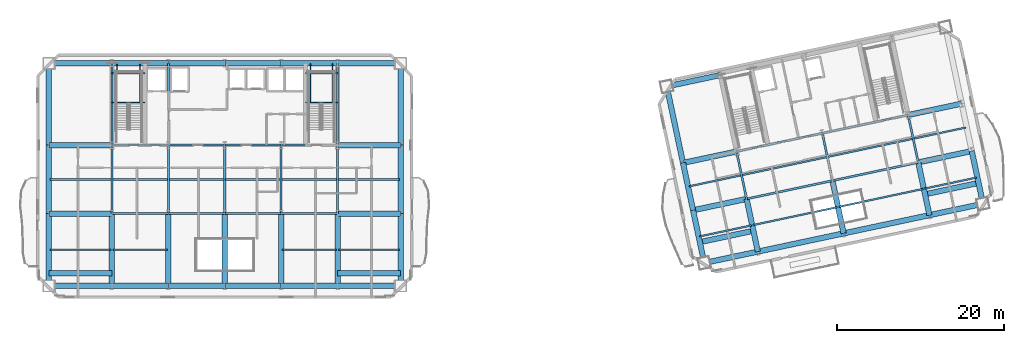
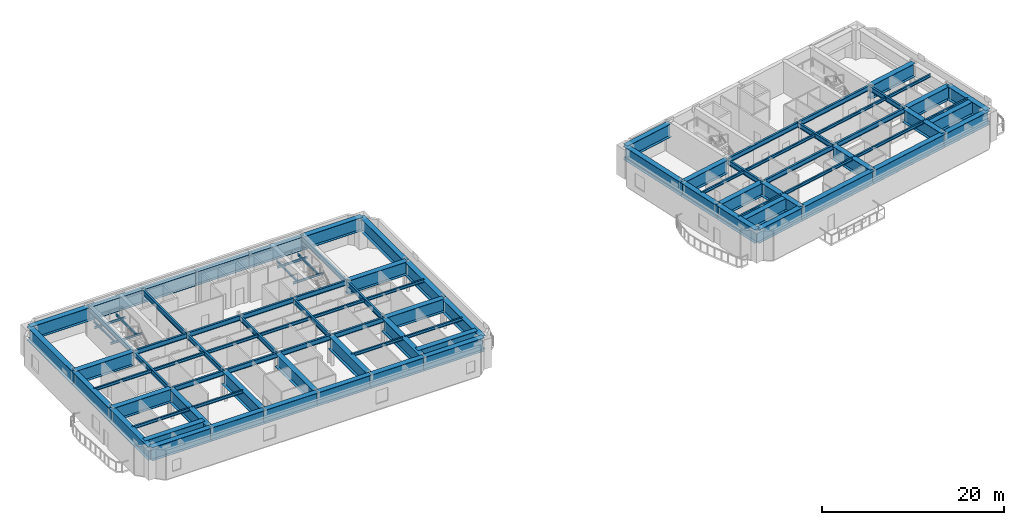
# One storey, part 3 of 15: 96 beams.
"""IFC4 building model written with IfcOpenShell, lengths in metres."""

from ifc_helpers import new_model, si_unit, direction, frame, origin, origin_2d, place, context, subcontext, project, spatial, i_section, extrude, material, material_profile, profile_set, type_object, element, save


model = new_model("IFC4")

# Units and contexts
model_context = context("Model", 3, precision=1e-05, world=origin(), true_north=direction((0.0, 1.0)))
body_context = subcontext(model_context, "Body", "Model", "MODEL_VIEW")
ifc_project = project(units=[si_unit("LENGTHUNIT", "METRE"), si_unit("AREAUNIT", "SQUARE_METRE"), si_unit("VOLUMEUNIT", "CUBIC_METRE"), si_unit("PLANEANGLEUNIT", "RADIAN"), si_unit("MASSUNIT", "GRAM", prefix="KILO")], contexts=[model_context])

# Site, building, storey
site_placement = place(None, origin())
site = spatial("IfcSite", under=ifc_project, at=site_placement, CompositionType="ELEMENT")
building_placement = place(site_placement, origin())
building = spatial("IfcBuilding", under=site, at=building_placement, Name="Haevon Station Towers", CompositionType="ELEMENT")
storey_placement = place(building_placement, frame((0.0, 0.0, 129.60009765625)))
storey = spatial("IfcBuildingStorey", under=building, at=storey_placement, Name="L35", CompositionType="ELEMENT", Elevation=129.60009765625)

# Beams
ifc_material_1 = material(Name="Steel S355", Category="steel")
ifc_material_profile_1 = material_profile(ifc_material_1, i_section(OverallWidth=0.25, OverallDepth=0.64990234375, WebThickness=0.012939453125, FlangeThickness=0.02197265625, at=origin_2d()), Name="H-650x250x13x22")
ifc_profile_set_1 = profile_set([ifc_material_profile_1], Name="Steel S355")
beam_type_1 = type_object("IfcBeamType", Name="BM-G650", PredefinedType="BEAM", material=ifc_profile_set_1)
for number, where, z_axis, x_axis, name in (
    (1, (24.0, 30.0, 3.625), (1.0, 0.0, 0.0), (0.0, 1.0, 0.0), "BM-T1U-L35-02-02"),
    (2, (30.75, 30.0, 3.625), (1.0, 0.0, 0.0), (0.0, 1.0, 0.0), "BM-T1U-L35-02-03"),
    (3, (37.5, 30.0, 3.625), (1.0, 0.0, 0.0), (0.0, 1.0, 0.0), "BM-T1U-L35-02-04"),
    (4, (44.25, 30.0, 3.625), (1.0, 0.0, 0.0), (0.0, 1.0, 0.0), "BM-T1U-L35-02-05"),
    (5, (24.0, 38.199951171875, 3.625), (1.0, 0.0, 0.0), (0.0, 1.0, 0.0), "BM-T1U-L35-03-02"),
    (6, (30.75, 38.199951171875, 3.625), (1.0, 0.0, 0.0), (0.0, 1.0, 0.0), "BM-T1U-L35-03-03"),
    (7, (37.5, 38.199951171875, 3.625), (1.0, 0.0, 0.0), (0.0, 1.0, 0.0), "BM-T1U-L35-03-04"),
    (8, (44.25, 38.199951171875, 3.625), (1.0, 0.0, 0.0), (0.0, 1.0, 0.0), "BM-T1U-L35-03-05"),
):
    element("IfcBeam", number, at=place(storey_placement, frame(where, z_axis=z_axis, x_axis=x_axis)), inside=storey, type_object=beam_type_1, Name=name, PredefinedType="BEAM", context=body_context, shape_type="SweptSolid", body=[
        extrude(i_section(OverallWidth=0.25, OverallDepth=0.64990234375, WebThickness=0.012939453125, FlangeThickness=0.02197265625, at=origin_2d()), origin(), (0.0, 0.0, 1.0), 6.75),
    ])
beam_1_placement = place(storey_placement, frame((24.0, 30.0, 3.625), z_axis=(0.0, 1.0, 0.0), x_axis=(-1.0, 0.0, 0.0)))
element("IfcBeam", 9, at=beam_1_placement, inside=storey, type_object=beam_type_1, Name="BM-T1V-L35-02-02", PredefinedType="BEAM", context=body_context, shape_type="SweptSolid", body=[
    extrude(i_section(OverallWidth=0.25, OverallDepth=0.64990234375, WebThickness=0.012939453125, FlangeThickness=0.02197265625, at=origin_2d()), origin(), (0.0, 0.0, 1.0), 8.199951171875),
])
beam_2_placement = place(storey_placement, frame((24.0, 38.199951171875, 3.625), z_axis=(0.0, 1.0, 0.0), x_axis=(-1.0, 0.0, 0.0)))
element("IfcBeam", 10, at=beam_2_placement, inside=storey, type_object=beam_type_1, Name="BM-T1V-L35-02-03", PredefinedType="BEAM", context=body_context, shape_type="SweptSolid", body=[
    extrude(i_section(OverallWidth=0.25, OverallDepth=0.64990234375, WebThickness=0.012939453125, FlangeThickness=0.02197265625, at=origin_2d()), origin(), (0.0, 0.0, 1.0), 9.800048828125),
])
beam_3_placement = place(storey_placement, frame((30.75, 30.0, 3.625), z_axis=(0.0, 1.0, 0.0), x_axis=(-1.0, 0.0, 0.0)))
element("IfcBeam", 11, at=beam_3_placement, inside=storey, type_object=beam_type_1, Name="BM-T1V-L35-03-02", PredefinedType="BEAM", context=body_context, shape_type="SweptSolid", body=[
    extrude(i_section(OverallWidth=0.25, OverallDepth=0.64990234375, WebThickness=0.012939453125, FlangeThickness=0.02197265625, at=origin_2d()), origin(), (0.0, 0.0, 1.0), 8.199951171875),
])
beam_4_placement = place(storey_placement, frame((30.75, 38.199951171875, 3.625), z_axis=(0.0, 1.0, 0.0), x_axis=(-1.0, 0.0, 0.0)))
element("IfcBeam", 12, at=beam_4_placement, inside=storey, type_object=beam_type_1, Name="BM-T1V-L35-03-03", PredefinedType="BEAM", context=body_context, shape_type="SweptSolid", body=[
    extrude(i_section(OverallWidth=0.25, OverallDepth=0.64990234375, WebThickness=0.012939453125, FlangeThickness=0.02197265625, at=origin_2d()), origin(), (0.0, 0.0, 1.0), 9.800048828125),
])
for number, where, z_axis, x_axis, name in (
    (13, (37.5, 30.0, 3.625), (0.0, 1.0, 0.0), (-1.0, 0.0, 0.0), "BM-T1V-L35-04-02"),
    (14, (44.25, 30.0, 3.625), (0.0, 1.0, 0.0), (-1.0, 0.0, 0.0), "BM-T1V-L35-05-02"),
    (15, (51.0, 30.0, 3.625), (0.0, 1.0, 0.0), (-1.0, 0.0, 0.0), "BM-T1V-L35-06-02"),
):
    element("IfcBeam", number, at=place(storey_placement, frame(where, z_axis=z_axis, x_axis=x_axis)), inside=storey, type_object=beam_type_1, Name=name, PredefinedType="BEAM", context=body_context, shape_type="SweptSolid", body=[
        extrude(i_section(OverallWidth=0.25, OverallDepth=0.64990234375, WebThickness=0.012939453125, FlangeThickness=0.02197265625, at=origin_2d()), origin(), (0.0, 0.0, 1.0), 8.199951171875),
    ])
beam_5_placement = place(storey_placement, frame((51.0, 38.199951171875, 3.625), z_axis=(0.0, 1.0, 0.0), x_axis=(-1.0, 0.0, 0.0)))
element("IfcBeam", 16, at=beam_5_placement, inside=storey, type_object=beam_type_1, Name="BM-T1V-L35-06-03", PredefinedType="BEAM", context=body_context, shape_type="SweptSolid", body=[
    extrude(i_section(OverallWidth=0.25, OverallDepth=0.64990234375, WebThickness=0.012939453125, FlangeThickness=0.02197265625, at=origin_2d()), origin(), (0.0, 0.0, 1.0), 9.800048828125),
])
for number, where, z_axis, x_axis, name in (
    (17, (99.958251953125, 31.76904296875, 3.625), (0.978146794194, 0.207915485254, 0.0), (-0.207915485254, 0.978146794194, 0.0), "BM-T2U-L35-02-02"),
    (18, (110.228759765625, 33.9521484375, 3.625), (0.978146794194, 0.207915485254, 0.0), (-0.207915485254, 0.978146794194, 0.0), "BM-T2U-L35-02-03"),
    (19, (98.75244140625, 37.4423828125, 3.625), (0.978146794194, 0.207915485254, 0.0), (-0.207915485254, 0.978146794194, 0.0), "BM-T2U-L35-03-02"),
    (20, (109.02294921875, 39.62548828125, 3.625), (0.978146794194, 0.207915485254, 0.0), (-0.207915485254, 0.978146794194, 0.0), "BM-T2U-L35-03-03"),
):
    element("IfcBeam", number, at=place(storey_placement, frame(where, z_axis=z_axis, x_axis=x_axis)), inside=storey, type_object=beam_type_1, Name=name, PredefinedType="BEAM", context=body_context, shape_type="SweptSolid", body=[
        extrude(i_section(OverallWidth=0.25, OverallDepth=0.64990234375, WebThickness=0.012939453125, FlangeThickness=0.02197265625, at=origin_2d()), origin(), (0.0, 0.0, 1.0), 10.5),
    ])
for number, where, z_axis, x_axis, name in (
    (21, (99.958251953125, 31.76904296875, 3.625), (-0.207896009217, 0.97815093383, 0.0), (-0.97815093383, -0.207896009217, 0.0), "BM-T2V-L35-02-02"),
    (22, (110.228759765625, 33.9521484375, 3.625), (-0.207896009217, 0.97815093383, 0.0), (-0.97815093383, -0.207896009217, 0.0), "BM-T2V-L35-03-02"),
    (23, (120.499267578125, 36.13525390625, 3.625), (-0.207896009217, 0.97815093383, 0.0), (-0.97815093383, -0.207896009217, 0.0), "BM-T2V-L35-04-02"),
):
    element("IfcBeam", number, at=place(storey_placement, frame(where, z_axis=z_axis, x_axis=x_axis)), inside=storey, type_object=beam_type_1, Name=name, PredefinedType="BEAM", context=body_context, shape_type="SweptSolid", body=[
        extrude(i_section(OverallWidth=0.25, OverallDepth=0.64990234375, WebThickness=0.012939453125, FlangeThickness=0.02197265625, at=origin_2d()), origin(), (0.0, 0.0, 1.0), 5.800048828125),
    ])
ifc_material_profile_2 = material_profile(ifc_material_1, i_section(OverallWidth=0.199951171875, OverallDepth=0.39990234375, WebThickness=0.008056640625, FlangeThickness=0.012939453125, at=origin_2d()), Name="H-400x200x8x13")
ifc_profile_set_2 = profile_set([ifc_material_profile_2], Name="Steel S355")
beam_type_2 = type_object("IfcBeamType", Name="BM-J400", PredefinedType="JOIST", material=ifc_profile_set_2)
beam_6_placement = place(storey_placement, frame((16.56005859375, 25.675048828125, 3.75), z_axis=(1.0, 0.0, 0.0), x_axis=(0.0, 1.0, 0.0)))
element("IfcBeam", 24, at=beam_6_placement, inside=storey, type_object=beam_type_2, Name="BM-T1J-L35-01-01", PredefinedType="JOIST", context=body_context, shape_type="SweptSolid", body=[
    extrude(i_section(OverallWidth=0.199951171875, OverallDepth=0.39990234375, WebThickness=0.008056640625, FlangeThickness=0.012939453125, at=origin_2d()), origin(), (0.0, 0.0, 1.0), 7.329833984375),
])
for number, where, z_axis, x_axis, name in (
    (25, (24.110107421875, 25.675048828125, 3.75), (1.0, 0.0, 0.0), (0.0, 1.0, 0.0), "BM-T1J-L35-01-02"),
    (26, (44.360107421875, 25.675048828125, 3.75), (1.0, 0.0, 0.0), (0.0, 1.0, 0.0), "BM-T1J-L35-01-05"),
):
    element("IfcBeam", number, at=place(storey_placement, frame(where, z_axis=z_axis, x_axis=x_axis)), inside=storey, type_object=beam_type_2, Name=name, PredefinedType="JOIST", context=body_context, shape_type="SweptSolid", body=[
        extrude(i_section(OverallWidth=0.199951171875, OverallDepth=0.39990234375, WebThickness=0.008056640625, FlangeThickness=0.012939453125, at=origin_2d()), origin(), (0.0, 0.0, 1.0), 6.52978515625),
    ])
for number, where, z_axis, x_axis, name in (
    (27, (51.110107421875, 25.675048828125, 3.75), (1.0, 0.0, 0.0), (0.0, 1.0, 0.0), "BM-T1J-L35-01-06"),
    (28, (16.56005859375, 34.10009765625, 3.75), (1.0, 0.0, 0.0), (0.0, 1.0, 0.0), "BM-T1J-L35-02-01"),
):
    element("IfcBeam", number, at=place(storey_placement, frame(where, z_axis=z_axis, x_axis=x_axis)), inside=storey, type_object=beam_type_2, Name=name, PredefinedType="JOIST", context=body_context, shape_type="SweptSolid", body=[
        extrude(i_section(OverallWidth=0.199951171875, OverallDepth=0.39990234375, WebThickness=0.008056640625, FlangeThickness=0.012939453125, at=origin_2d()), origin(), (0.0, 0.0, 1.0), 7.329833984375),
    ])
for number, where, z_axis, x_axis, name in (
    (29, (24.110107421875, 34.10009765625, 3.75), (1.0, 0.0, 0.0), (0.0, 1.0, 0.0), "BM-T1J-L35-02-02"),
    (30, (30.860107421875, 34.10009765625, 3.75), (1.0, 0.0, 0.0), (0.0, 1.0, 0.0), "BM-T1J-L35-02-03"),
    (31, (37.610107421875, 34.10009765625, 3.75), (1.0, 0.0, 0.0), (0.0, 1.0, 0.0), "BM-T1J-L35-02-04"),
    (32, (44.360107421875, 34.10009765625, 3.75), (1.0, 0.0, 0.0), (0.0, 1.0, 0.0), "BM-T1J-L35-02-05"),
):
    element("IfcBeam", number, at=place(storey_placement, frame(where, z_axis=z_axis, x_axis=x_axis)), inside=storey, type_object=beam_type_2, Name=name, PredefinedType="JOIST", context=body_context, shape_type="SweptSolid", body=[
        extrude(i_section(OverallWidth=0.199951171875, OverallDepth=0.39990234375, WebThickness=0.008056640625, FlangeThickness=0.012939453125, at=origin_2d()), origin(), (0.0, 0.0, 1.0), 6.52978515625),
    ])
beam_7_placement = place(storey_placement, frame((51.110107421875, 34.10009765625, 3.75), z_axis=(1.0, 0.0, 0.0), x_axis=(0.0, 1.0, 0.0)))
element("IfcBeam", 33, at=beam_7_placement, inside=storey, type_object=beam_type_2, Name="BM-T1J-L35-02-06", PredefinedType="JOIST", context=body_context, shape_type="SweptSolid", body=[
    extrude(i_section(OverallWidth=0.199951171875, OverallDepth=0.39990234375, WebThickness=0.008056640625, FlangeThickness=0.012939453125, at=origin_2d()), origin(), (0.0, 0.0, 1.0), 7.329833984375),
])
beam_8_placement = place(storey_placement, frame((94.32958984375, 27.275634765625, 3.75), z_axis=(0.978144831517, 0.207924718533, 0.0), x_axis=(-0.207924718533, 0.978144831517, 0.0)))
element("IfcBeam", 34, at=beam_8_placement, inside=storey, type_object=beam_type_2, Name="BM-T2J-L35-01-01", PredefinedType="JOIST", context=body_context, shape_type="SweptSolid", body=[
    extrude(i_section(OverallWidth=0.199951171875, OverallDepth=0.39990234375, WebThickness=0.008056640625, FlangeThickness=0.012939453125, at=origin_2d()), origin(), (0.0, 0.0, 1.0), 6.330078125),
])
for number, where, z_axis, x_axis, name in (
    (35, (100.736328125, 28.637451171875, 3.75), (0.978145509903, 0.207921527161, 0.0), (-0.207921527161, 0.978145509903, 0.0), "BM-T2J-L35-01-02"),
    (36, (111.0068359375, 30.820556640625, 3.75), (0.978145509903, 0.207921527161, 0.0), (-0.207921527161, 0.978145509903, 0.0), "BM-T2J-L35-01-03"),
):
    element("IfcBeam", number, at=place(storey_placement, frame(where, z_axis=z_axis, x_axis=x_axis)), inside=storey, type_object=beam_type_2, Name=name, PredefinedType="JOIST", context=body_context, shape_type="SweptSolid", body=[
        extrude(i_section(OverallWidth=0.199951171875, OverallDepth=0.39990234375, WebThickness=0.008056640625, FlangeThickness=0.012939453125, at=origin_2d()), origin(), (0.0, 0.0, 1.0), 10.280029296875),
    ])
for number, where, z_axis, x_axis, name in (
    (37, (121.27734375, 33.003662109375, 3.75), (0.978146498858, 0.207916874669, 0.0), (-0.207916874669, 0.978146498858, 0.0), "BM-T2J-L35-01-04"),
    (38, (93.055908203125, 33.266845703125, 3.75), (0.978146498858, 0.207916874669, 0.0), (-0.207916874669, 0.978146498858, 0.0), "BM-T2J-L35-02-01"),
):
    element("IfcBeam", number, at=place(storey_placement, frame(where, z_axis=z_axis, x_axis=x_axis)), inside=storey, type_object=beam_type_2, Name=name, PredefinedType="JOIST", context=body_context, shape_type="SweptSolid", body=[
        extrude(i_section(OverallWidth=0.199951171875, OverallDepth=0.39990234375, WebThickness=0.008056640625, FlangeThickness=0.012939453125, at=origin_2d()), origin(), (0.0, 0.0, 1.0), 6.330322265625),
    ])
for number, where, z_axis, x_axis, name in (
    (39, (99.462890625, 34.628662109375, 3.75), (0.978150339653, 0.207898804801, 0.0), (-0.207898804801, 0.978150339653, 0.0), "BM-T2J-L35-02-02"),
    (40, (109.7333984375, 36.811767578125, 3.75), (0.978150339653, 0.207898804801, 0.0), (-0.207898804801, 0.978150339653, 0.0), "BM-T2J-L35-02-03"),
):
    element("IfcBeam", number, at=place(storey_placement, frame(where, z_axis=z_axis, x_axis=x_axis)), inside=storey, type_object=beam_type_2, Name=name, PredefinedType="JOIST", context=body_context, shape_type="SweptSolid", body=[
        extrude(i_section(OverallWidth=0.199951171875, OverallDepth=0.39990234375, WebThickness=0.008056640625, FlangeThickness=0.012939453125, at=origin_2d()), origin(), (0.0, 0.0, 1.0), 10.280029296875),
    ])
beam_9_placement = place(storey_placement, frame((120.00390625, 38.994873046875, 3.75), z_axis=(0.978152675037, 0.207887816665, 0.0), x_axis=(-0.207887816665, 0.978152675037, 0.0)))
element("IfcBeam", 41, at=beam_9_placement, inside=storey, type_object=beam_type_2, Name="BM-T2J-L35-02-04", PredefinedType="JOIST", context=body_context, shape_type="SweptSolid", body=[
    extrude(i_section(OverallWidth=0.199951171875, OverallDepth=0.39990234375, WebThickness=0.008056640625, FlangeThickness=0.012939453125, at=origin_2d()), origin(), (0.0, 0.0, 1.0), 6.329833984375),
])
ifc_material_profile_3 = material_profile(ifc_material_1, i_section(OverallWidth=0.14990234375, OverallDepth=0.300048828125, WebThickness=0.006591796875, FlangeThickness=0.009033203125, at=origin_2d()), Name="H-300x150x6.5x9")
ifc_profile_set_3 = profile_set([ifc_material_profile_3], Name="Steel S355")
beam_type_3 = type_object("IfcBeamType", Name="BM-LIN300", PredefinedType="LINTEL", material=ifc_profile_set_3)
for number, where, z_axis, x_axis, name in (
    (42, (24.0, 43.303955078125, 1.75), (1.0, 0.0, 0.0), (0.0, 1.0, 0.0), "BM-ST1L-L35-1-S"),
    (43, (24.0, 46.820068359375, 1.75), (1.0, 0.0, 0.0), (0.0, 1.0, 0.0), "BM-ST1L-L35-1-N"),
):
    element("IfcBeam", number, at=place(storey_placement, frame(where, z_axis=z_axis, x_axis=x_axis)), inside=storey, type_object=beam_type_3, Name=name, PredefinedType="LINTEL", context=body_context, shape_type="SweptSolid", body=[
        extrude(i_section(OverallWidth=0.14990234375, OverallDepth=0.300048828125, WebThickness=0.006591796875, FlangeThickness=0.009033203125, at=origin_2d()), origin(), (0.0, 0.0, 1.0), 3.949951171875),
    ])
for number, where, z_axis, x_axis, name in (
    (44, (24.60009765625, 43.303955078125, 1.75), (0.0, 1.0, 0.0), (-1.0, 0.0, 0.0), "BM-ST1L-L35-1-W"),
    (45, (27.35009765625, 43.303955078125, 1.75), (0.0, 1.0, 0.0), (-1.0, 0.0, 0.0), "BM-ST1L-L35-1-E"),
):
    element("IfcBeam", number, at=place(storey_placement, frame(where, z_axis=z_axis, x_axis=x_axis)), inside=storey, type_object=beam_type_3, Name=name, PredefinedType="LINTEL", context=body_context, shape_type="SweptSolid", body=[
        extrude(i_section(OverallWidth=0.14990234375, OverallDepth=0.300048828125, WebThickness=0.006591796875, FlangeThickness=0.009033203125, at=origin_2d()), origin(), (0.0, 0.0, 1.0), 4.696044921875),
    ])
for number, where, z_axis, x_axis, name in (
    (46, (47.14990234375, 43.303955078125, 1.75), (1.0, 0.0, 0.0), (0.0, 1.0, 0.0), "BM-ST2L-L35-1-S"),
    (47, (47.14990234375, 46.820068359375, 1.75), (1.0, 0.0, 0.0), (0.0, 1.0, 0.0), "BM-ST2L-L35-1-N"),
):
    element("IfcBeam", number, at=place(storey_placement, frame(where, z_axis=z_axis, x_axis=x_axis)), inside=storey, type_object=beam_type_3, Name=name, PredefinedType="LINTEL", context=body_context, shape_type="SweptSolid", body=[
        extrude(i_section(OverallWidth=0.14990234375, OverallDepth=0.300048828125, WebThickness=0.006591796875, FlangeThickness=0.009033203125, at=origin_2d()), origin(), (0.0, 0.0, 1.0), 3.85009765625),
    ])
for number, where, z_axis, x_axis, name in (
    (48, (47.75, 43.303955078125, 1.75), (0.0, 1.0, 0.0), (-1.0, 0.0, 0.0), "BM-ST2L-L35-1-W"),
    (49, (50.39990234375, 43.303955078125, 1.75), (0.0, 1.0, 0.0), (-1.0, 0.0, 0.0), "BM-ST2L-L35-1-E"),
):
    element("IfcBeam", number, at=place(storey_placement, frame(where, z_axis=z_axis, x_axis=x_axis)), inside=storey, type_object=beam_type_3, Name=name, PredefinedType="LINTEL", context=body_context, shape_type="SweptSolid", body=[
        extrude(i_section(OverallWidth=0.14990234375, OverallDepth=0.300048828125, WebThickness=0.006591796875, FlangeThickness=0.009033203125, at=origin_2d()), origin(), (0.0, 0.0, 1.0), 4.696044921875),
    ])
ifc_material_2 = material(Name="Steel S460", Category="steel")
ifc_material_profile_4 = material_profile(ifc_material_2, i_section(OverallWidth=0.64990234375, OverallDepth=1.800048828125, WebThickness=0.02490234375, FlangeThickness=0.0400390625, at=origin_2d()), Name="H-1800x650x25x40")
ifc_profile_set_4 = profile_set([ifc_material_profile_4], Name="Steel S460")
beam_type_4 = type_object("IfcBeamType", Name="BM-TG1800", PredefinedType="BEAM", material=ifc_profile_set_4)
beam_10_placement = place(storey_placement, frame((16.449951171875, 21.35009765625, 3.0498046875), z_axis=(1.0, 0.0, 0.0), x_axis=(0.0, 1.0, 0.0)))
element("IfcBeam", 50, at=beam_10_placement, inside=storey, type_object=beam_type_4, Name="BM-T1U-L35-01-01", PredefinedType="BEAM", context=body_context, shape_type="SweptSolid", body=[
    extrude(i_section(OverallWidth=0.64990234375, OverallDepth=1.800048828125, WebThickness=0.02490234375, FlangeThickness=0.0400390625, at=origin_2d()), origin(), (0.0, 0.0, 1.0), 7.550048828125),
])
for number, where, z_axis, x_axis, name in (
    (51, (24.0, 21.35009765625, 3.0498046875), (1.0, 0.0, 0.0), (0.0, 1.0, 0.0), "BM-T1U-L35-01-02"),
    (52, (30.75, 21.35009765625, 3.0498046875), (1.0, 0.0, 0.0), (0.0, 1.0, 0.0), "BM-T1U-L35-01-03"),
    (53, (37.5, 21.35009765625, 3.0498046875), (1.0, 0.0, 0.0), (0.0, 1.0, 0.0), "BM-T1U-L35-01-04"),
    (54, (44.25, 21.35009765625, 3.0498046875), (1.0, 0.0, 0.0), (0.0, 1.0, 0.0), "BM-T1U-L35-01-05"),
):
    element("IfcBeam", number, at=place(storey_placement, frame(where, z_axis=z_axis, x_axis=x_axis)), inside=storey, type_object=beam_type_4, Name=name, PredefinedType="BEAM", context=body_context, shape_type="SweptSolid", body=[
        extrude(i_section(OverallWidth=0.64990234375, OverallDepth=1.800048828125, WebThickness=0.02490234375, FlangeThickness=0.0400390625, at=origin_2d()), origin(), (0.0, 0.0, 1.0), 6.75),
    ])
for number, where, z_axis, x_axis, name in (
    (55, (51.0, 21.35009765625, 3.0498046875), (1.0, 0.0, 0.0), (0.0, 1.0, 0.0), "BM-T1U-L35-01-06"),
    (56, (16.449951171875, 30.0, 3.0498046875), (1.0, 0.0, 0.0), (0.0, 1.0, 0.0), "BM-T1U-L35-02-01"),
    (57, (51.0, 30.0, 3.0498046875), (1.0, 0.0, 0.0), (0.0, 1.0, 0.0), "BM-T1U-L35-02-06"),
    (58, (16.449951171875, 38.199951171875, 3.0498046875), (1.0, 0.0, 0.0), (0.0, 1.0, 0.0), "BM-T1U-L35-03-01"),
    (59, (51.0, 38.199951171875, 3.0498046875), (1.0, 0.0, 0.0), (0.0, 1.0, 0.0), "BM-T1U-L35-03-06"),
    (60, (16.449951171875, 48.0, 3.0498046875), (1.0, 0.0, 0.0), (0.0, 1.0, 0.0), "BM-T1U-L35-04-01"),
):
    element("IfcBeam", number, at=place(storey_placement, frame(where, z_axis=z_axis, x_axis=x_axis)), inside=storey, type_object=beam_type_4, Name=name, PredefinedType="BEAM", context=body_context, shape_type="SweptSolid", body=[
        extrude(i_section(OverallWidth=0.64990234375, OverallDepth=1.800048828125, WebThickness=0.02490234375, FlangeThickness=0.0400390625, at=origin_2d()), origin(), (0.0, 0.0, 1.0), 7.550048828125),
    ])
for number, where, z_axis, x_axis, name in (
    (61, (24.0, 48.0, 3.0498046875), (1.0, 0.0, 0.0), (0.0, 1.0, 0.0), "BM-T1U-L35-04-02"),
    (62, (30.75, 48.0, 3.0498046875), (1.0, 0.0, 0.0), (0.0, 1.0, 0.0), "BM-T1U-L35-04-03"),
    (63, (37.5, 48.0, 3.0498046875), (1.0, 0.0, 0.0), (0.0, 1.0, 0.0), "BM-T1U-L35-04-04"),
    (64, (44.25, 48.0, 3.0498046875), (1.0, 0.0, 0.0), (0.0, 1.0, 0.0), "BM-T1U-L35-04-05"),
):
    element("IfcBeam", number, at=place(storey_placement, frame(where, z_axis=z_axis, x_axis=x_axis)), inside=storey, type_object=beam_type_4, Name=name, PredefinedType="BEAM", context=body_context, shape_type="SweptSolid", body=[
        extrude(i_section(OverallWidth=0.64990234375, OverallDepth=1.800048828125, WebThickness=0.02490234375, FlangeThickness=0.0400390625, at=origin_2d()), origin(), (0.0, 0.0, 1.0), 6.75),
    ])
beam_11_placement = place(storey_placement, frame((51.0, 48.0, 3.0498046875), z_axis=(1.0, 0.0, 0.0), x_axis=(0.0, 1.0, 0.0)))
element("IfcBeam", 65, at=beam_11_placement, inside=storey, type_object=beam_type_4, Name="BM-T1U-L35-04-06", PredefinedType="BEAM", context=body_context, shape_type="SweptSolid", body=[
    extrude(i_section(OverallWidth=0.64990234375, OverallDepth=1.800048828125, WebThickness=0.02490234375, FlangeThickness=0.0400390625, at=origin_2d()), origin(), (0.0, 0.0, 1.0), 7.550048828125),
])
beam_12_placement = place(storey_placement, frame((16.449951171875, 21.35009765625, 3.0498046875), z_axis=(0.0, 1.0, 0.0), x_axis=(-1.0, 0.0, 0.0)))
element("IfcBeam", 66, at=beam_12_placement, inside=storey, type_object=beam_type_4, Name="BM-T1V-L35-01-01", PredefinedType="BEAM", context=body_context, shape_type="SweptSolid", body=[
    extrude(i_section(OverallWidth=0.64990234375, OverallDepth=1.800048828125, WebThickness=0.02490234375, FlangeThickness=0.0400390625, at=origin_2d()), origin(), (0.0, 0.0, 1.0), 8.64990234375),
])
beam_13_placement = place(storey_placement, frame((16.449951171875, 30.0, 3.0498046875), z_axis=(0.0, 1.0, 0.0), x_axis=(-1.0, 0.0, 0.0)))
element("IfcBeam", 67, at=beam_13_placement, inside=storey, type_object=beam_type_4, Name="BM-T1V-L35-01-02", PredefinedType="BEAM", context=body_context, shape_type="SweptSolid", body=[
    extrude(i_section(OverallWidth=0.64990234375, OverallDepth=1.800048828125, WebThickness=0.02490234375, FlangeThickness=0.0400390625, at=origin_2d()), origin(), (0.0, 0.0, 1.0), 8.199951171875),
])
beam_14_placement = place(storey_placement, frame((16.449951171875, 38.199951171875, 3.0498046875), z_axis=(0.0, 1.0, 0.0), x_axis=(-1.0, 0.0, 0.0)))
element("IfcBeam", 68, at=beam_14_placement, inside=storey, type_object=beam_type_4, Name="BM-T1V-L35-01-03", PredefinedType="BEAM", context=body_context, shape_type="SweptSolid", body=[
    extrude(i_section(OverallWidth=0.64990234375, OverallDepth=1.800048828125, WebThickness=0.02490234375, FlangeThickness=0.0400390625, at=origin_2d()), origin(), (0.0, 0.0, 1.0), 9.800048828125),
])
for number, where, z_axis, x_axis, name in (
    (69, (24.0, 21.35009765625, 3.0498046875), (0.0, 1.0, 0.0), (-1.0, 0.0, 0.0), "BM-T1V-L35-02-01"),
    (70, (30.75, 21.35009765625, 3.0498046875), (0.0, 1.0, 0.0), (-1.0, 0.0, 0.0), "BM-T1V-L35-03-01"),
    (71, (37.5, 21.35009765625, 3.0498046875), (0.0, 1.0, 0.0), (-1.0, 0.0, 0.0), "BM-T1V-L35-04-01"),
    (72, (44.25, 21.35009765625, 3.0498046875), (0.0, 1.0, 0.0), (-1.0, 0.0, 0.0), "BM-T1V-L35-05-01"),
    (73, (51.0, 21.35009765625, 3.0498046875), (0.0, 1.0, 0.0), (-1.0, 0.0, 0.0), "BM-T1V-L35-06-01"),
    (74, (58.550048828125, 21.35009765625, 3.0498046875), (0.0, 1.0, 0.0), (-1.0, 0.0, 0.0), "BM-T1V-L35-07-01"),
):
    element("IfcBeam", number, at=place(storey_placement, frame(where, z_axis=z_axis, x_axis=x_axis)), inside=storey, type_object=beam_type_4, Name=name, PredefinedType="BEAM", context=body_context, shape_type="SweptSolid", body=[
        extrude(i_section(OverallWidth=0.64990234375, OverallDepth=1.800048828125, WebThickness=0.02490234375, FlangeThickness=0.0400390625, at=origin_2d()), origin(), (0.0, 0.0, 1.0), 8.64990234375),
    ])
beam_15_placement = place(storey_placement, frame((58.550048828125, 30.0, 3.0498046875), z_axis=(0.0, 1.0, 0.0), x_axis=(-1.0, 0.0, 0.0)))
element("IfcBeam", 75, at=beam_15_placement, inside=storey, type_object=beam_type_4, Name="BM-T1V-L35-07-02", PredefinedType="BEAM", context=body_context, shape_type="SweptSolid", body=[
    extrude(i_section(OverallWidth=0.64990234375, OverallDepth=1.800048828125, WebThickness=0.02490234375, FlangeThickness=0.0400390625, at=origin_2d()), origin(), (0.0, 0.0, 1.0), 8.199951171875),
])
beam_16_placement = place(storey_placement, frame((58.550048828125, 38.199951171875, 3.0498046875), z_axis=(0.0, 1.0, 0.0), x_axis=(-1.0, 0.0, 0.0)))
element("IfcBeam", 76, at=beam_16_placement, inside=storey, type_object=beam_type_4, Name="BM-T1V-L35-07-03", PredefinedType="BEAM", context=body_context, shape_type="SweptSolid", body=[
    extrude(i_section(OverallWidth=0.64990234375, OverallDepth=1.800048828125, WebThickness=0.02490234375, FlangeThickness=0.0400390625, at=origin_2d()), origin(), (0.0, 0.0, 1.0), 9.800048828125),
])
for number, where, z_axis, x_axis, name in (
    (77, (16.449951171875, 22.85009765625, 3.0498046875), (1.0, 0.0, 0.0), (0.0, 1.0, 0.0), "BM-T1CTRN-L35-1"),
    (78, (51.0, 22.85009765625, 3.0498046875), (1.0, 0.0, 0.0), (0.0, 1.0, 0.0), "BM-T1CTRN-L35-2"),
):
    element("IfcBeam", number, at=place(storey_placement, frame(where, z_axis=z_axis, x_axis=x_axis)), inside=storey, type_object=beam_type_4, Name=name, PredefinedType="BEAM", context=body_context, shape_type="SweptSolid", body=[
        extrude(i_section(OverallWidth=0.64990234375, OverallDepth=1.800048828125, WebThickness=0.02490234375, FlangeThickness=0.0400390625, at=origin_2d()), origin(), (0.0, 0.0, 1.0), 7.550048828125),
    ])
beam_17_placement = place(storey_placement, frame((94.892333984375, 24.098388671875, 3.0498046875), z_axis=(0.978148524343, 0.207907345532, 0.0), x_axis=(-0.207907345532, 0.978148524343, 0.0)))
element("IfcBeam", 79, at=beam_17_placement, inside=storey, type_object=beam_type_4, Name="BM-T2U-L35-01-01", PredefinedType="BEAM", context=body_context, shape_type="SweptSolid", body=[
    extrude(i_section(OverallWidth=0.64990234375, OverallDepth=1.800048828125, WebThickness=0.02490234375, FlangeThickness=0.0400390625, at=origin_2d()), origin(), (0.0, 0.0, 1.0), 6.550048828125),
])
for number, where, z_axis, x_axis, name in (
    (80, (101.29931640625, 25.460205078125, 3.0498046875), (0.978151522678, 0.207893238667, 0.0), (-0.207893238667, 0.978151522678, 0.0), "BM-T2U-L35-01-02"),
    (81, (111.56982421875, 27.64306640625, 3.0498046875), (0.978146794194, 0.207915485254, 0.0), (-0.207915485254, 0.978146794194, 0.0), "BM-T2U-L35-01-03"),
):
    element("IfcBeam", number, at=place(storey_placement, frame(where, z_axis=z_axis, x_axis=x_axis)), inside=storey, type_object=beam_type_4, Name=name, PredefinedType="BEAM", context=body_context, shape_type="SweptSolid", body=[
        extrude(i_section(OverallWidth=0.64990234375, OverallDepth=1.800048828125, WebThickness=0.02490234375, FlangeThickness=0.0400390625, at=origin_2d()), origin(), (0.0, 0.0, 1.0), 10.5),
    ])
for number, where, z_axis, x_axis, name in (
    (82, (121.84033203125, 29.826171875, 3.0498046875), (0.978148524343, 0.207907345532, 0.0), (-0.207907345532, 0.978148524343, 0.0), "BM-T2U-L35-01-04"),
    (83, (93.55126953125, 30.4072265625, 3.0498046875), (0.978148524343, 0.207907345532, 0.0), (-0.207907345532, 0.978148524343, 0.0), "BM-T2U-L35-02-01"),
    (84, (120.499267578125, 36.13525390625, 3.0498046875), (0.978148524343, 0.207907345532, 0.0), (-0.207907345532, 0.978148524343, 0.0), "BM-T2U-L35-02-04"),
    (85, (92.345458984375, 36.08056640625, 3.0498046875), (0.978148524343, 0.207907345532, 0.0), (-0.207907345532, 0.978148524343, 0.0), "BM-T2U-L35-03-01"),
):
    element("IfcBeam", number, at=place(storey_placement, frame(where, z_axis=z_axis, x_axis=x_axis)), inside=storey, type_object=beam_type_4, Name=name, PredefinedType="BEAM", context=body_context, shape_type="SweptSolid", body=[
        extrude(i_section(OverallWidth=0.64990234375, OverallDepth=1.800048828125, WebThickness=0.02490234375, FlangeThickness=0.0400390625, at=origin_2d()), origin(), (0.0, 0.0, 1.0), 6.550048828125),
    ])
for number, where, z_axis, x_axis, name in (
    (86, (119.29345703125, 41.80859375, 3.0498046875), (0.978146913123, 0.207914925745, 0.0), (-0.207914925745, 0.978146913123, 0.0), "BM-T2U-L35-03-04"),
    (87, (90.401611328125, 45.226318359375, 3.0498046875), (0.978146913123, 0.207914925745, 0.0), (-0.207914925745, 0.978146913123, 0.0), "BM-T2U-L35-04-01"),
):
    element("IfcBeam", number, at=place(storey_placement, frame(where, z_axis=z_axis, x_axis=x_axis)), inside=storey, type_object=beam_type_4, Name=name, PredefinedType="BEAM", context=body_context, shape_type="SweptSolid", body=[
        extrude(i_section(OverallWidth=0.64990234375, OverallDepth=1.800048828125, WebThickness=0.02490234375, FlangeThickness=0.0400390625, at=origin_2d()), origin(), (0.0, 0.0, 1.0), 6.5498046875),
    ])
beam_18_placement = place(storey_placement, frame((94.892333984375, 24.098388671875, 3.0498046875), z_axis=(-0.207923493292, 0.978145091966, 0.0), x_axis=(-0.978145091966, -0.207923493292, 0.0)))
element("IfcBeam", 88, at=beam_18_placement, inside=storey, type_object=beam_type_4, Name="BM-T2V-L35-01-01", PredefinedType="BEAM", context=body_context, shape_type="SweptSolid", body=[
    extrude(i_section(OverallWidth=0.64990234375, OverallDepth=1.800048828125, WebThickness=0.02490234375, FlangeThickness=0.0400390625, at=origin_2d()), origin(), (0.0, 0.0, 1.0), 6.44970703125),
])
beam_19_placement = place(storey_placement, frame((93.55126953125, 30.4072265625, 3.0498046875), z_axis=(-0.207896009217, 0.97815093383, 0.0), x_axis=(-0.97815093383, -0.207896009217, 0.0)))
element("IfcBeam", 89, at=beam_19_placement, inside=storey, type_object=beam_type_4, Name="BM-T2V-L35-01-02", PredefinedType="BEAM", context=body_context, shape_type="SweptSolid", body=[
    extrude(i_section(OverallWidth=0.64990234375, OverallDepth=1.800048828125, WebThickness=0.02490234375, FlangeThickness=0.0400390625, at=origin_2d()), origin(), (0.0, 0.0, 1.0), 5.800048828125),
])
beam_20_placement = place(storey_placement, frame((92.345458984375, 36.08056640625, 3.0498046875), z_axis=(-0.207897167074, 0.978150687738, 0.0), x_axis=(-0.978150687738, -0.207897167074, 0.0)))
element("IfcBeam", 90, at=beam_20_placement, inside=storey, type_object=beam_type_4, Name="BM-T2V-L35-01-03", PredefinedType="BEAM", context=body_context, shape_type="SweptSolid", body=[
    extrude(i_section(OverallWidth=0.64990234375, OverallDepth=1.800048828125, WebThickness=0.02490234375, FlangeThickness=0.0400390625, at=origin_2d()), origin(), (0.0, 0.0, 1.0), 9.35009765625),
])
beam_21_placement = place(storey_placement, frame((101.29931640625, 25.460205078125, 3.0498046875), z_axis=(-0.207923493292, 0.978145091966, 0.0), x_axis=(-0.978145091966, -0.207923493292, 0.0)))
element("IfcBeam", 91, at=beam_21_placement, inside=storey, type_object=beam_type_4, Name="BM-T2V-L35-02-01", PredefinedType="BEAM", context=body_context, shape_type="SweptSolid", body=[
    extrude(i_section(OverallWidth=0.64990234375, OverallDepth=1.800048828125, WebThickness=0.02490234375, FlangeThickness=0.0400390625, at=origin_2d()), origin(), (0.0, 0.0, 1.0), 6.44970703125),
])
for number, where, z_axis, x_axis, name in (
    (92, (111.56982421875, 27.64306640625, 3.0498046875), (-0.207915795165, 0.978146728319, 0.0), (-0.978146728319, -0.207915795165, 0.0), "BM-T2V-L35-03-01"),
    (93, (121.84033203125, 29.826171875, 3.0498046875), (-0.207915795165, 0.978146728319, 0.0), (-0.978146728319, -0.207915795165, 0.0), "BM-T2V-L35-04-01"),
    (94, (128.247314453125, 31.18798828125, 3.0498046875), (-0.207915795165, 0.978146728319, 0.0), (-0.978146728319, -0.207915795165, 0.0), "BM-T2V-L35-05-01"),
):
    element("IfcBeam", number, at=place(storey_placement, frame(where, z_axis=z_axis, x_axis=x_axis)), inside=storey, type_object=beam_type_4, Name=name, PredefinedType="BEAM", context=body_context, shape_type="SweptSolid", body=[
        extrude(i_section(OverallWidth=0.64990234375, OverallDepth=1.800048828125, WebThickness=0.02490234375, FlangeThickness=0.0400390625, at=origin_2d()), origin(), (0.0, 0.0, 1.0), 6.449951171875),
    ])
for number, where, z_axis, x_axis, name in (
    (95, (94.3623046875, 26.592529296875, 3.0498046875), (0.978146913123, 0.207914925745, 0.0), (-0.207914925745, 0.978146913123, 0.0), "BM-T2CTRN-L35-1"),
    (96, (121.310302734375, 32.320556640625, 3.0498046875), (0.978146913123, 0.207914925745, 0.0), (-0.207914925745, 0.978146913123, 0.0), "BM-T2CTRN-L35-2"),
):
    element("IfcBeam", number, at=place(storey_placement, frame(where, z_axis=z_axis, x_axis=x_axis)), inside=storey, type_object=beam_type_4, Name=name, PredefinedType="BEAM", context=body_context, shape_type="SweptSolid", body=[
        extrude(i_section(OverallWidth=0.64990234375, OverallDepth=1.800048828125, WebThickness=0.02490234375, FlangeThickness=0.0400390625, at=origin_2d()), origin(), (0.0, 0.0, 1.0), 6.5498046875),
    ])

save(model, "model.ifc")
